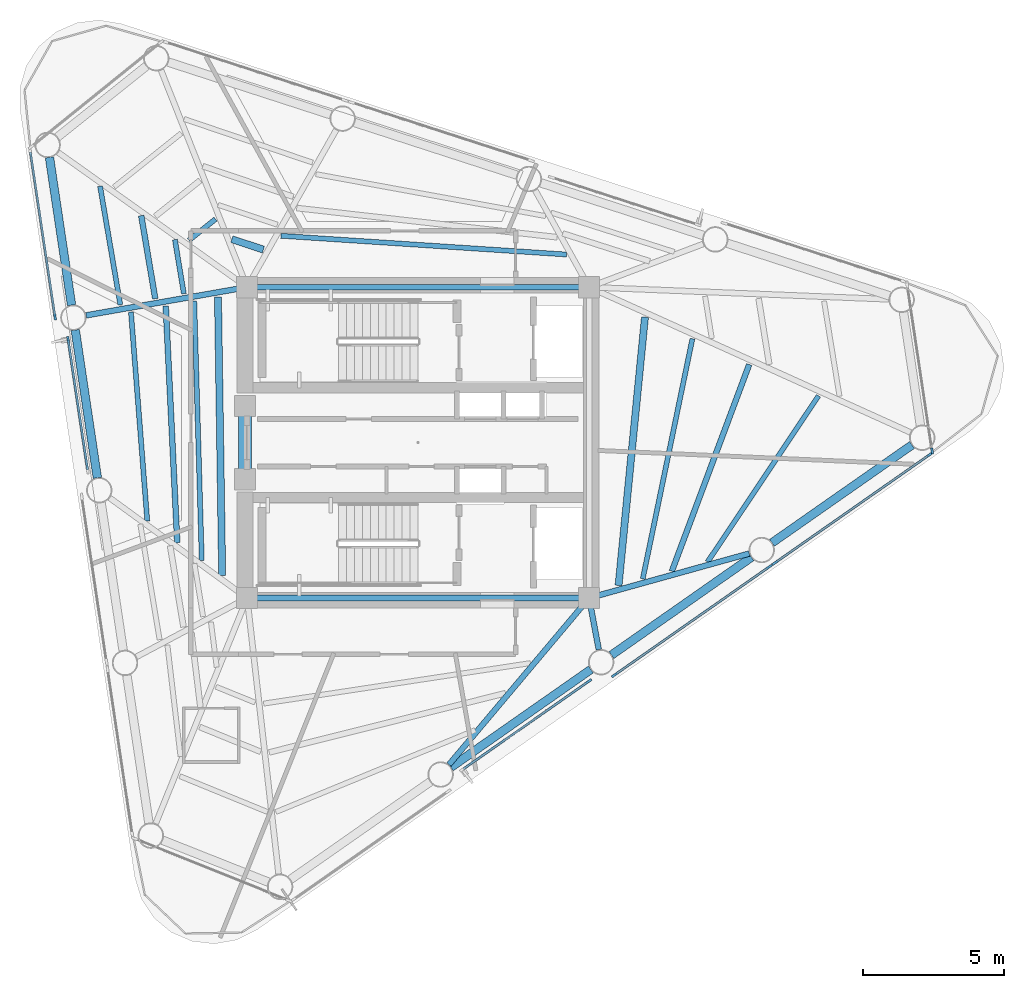
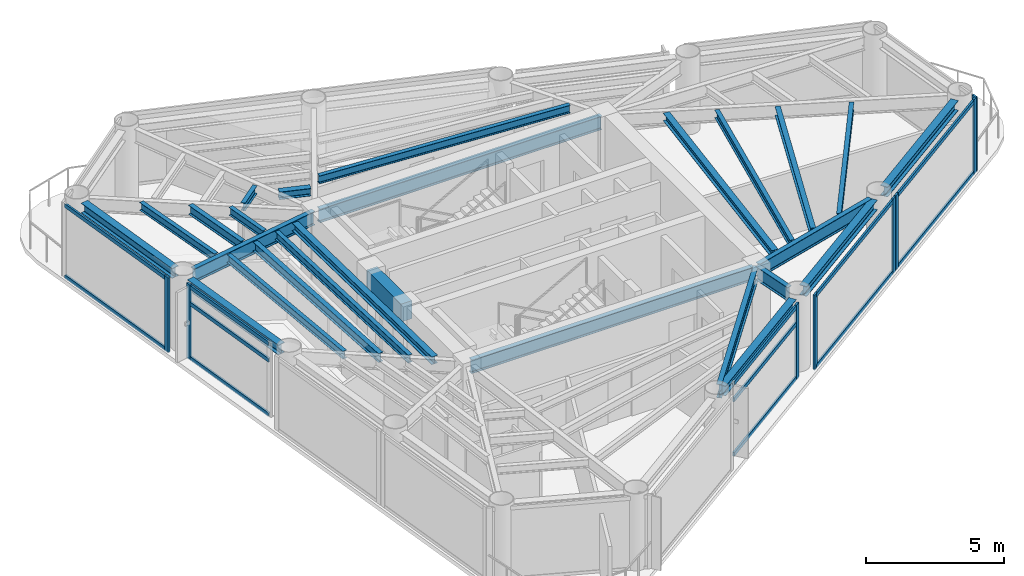
# One storey, part 2 of 9: 26 beams, 20 members, 6 elements without a shape of their own.
"""IFC4 building model written with IfcOpenShell, lengths in metres."""

from ifc_helpers import new_model, si_unit, direction, frame, origin, origin_2d, place, context, subcontext, project, spatial, rectangle, i_section, extrude, source, transform, mapped, material, layer, layer_set, material_profile, profile_set, type_object, element, aggregate, save


model = new_model("IFC4")

# Units and contexts
model_context = context("Model", 3, precision=1e-05, world=origin(), true_north=direction((0.0, 1.0)))
body_context = subcontext(model_context, "Body", "Model", "MODEL_VIEW")
ifc_project = project(units=[si_unit("LENGTHUNIT", "METRE"), si_unit("AREAUNIT", "SQUARE_METRE"), si_unit("VOLUMEUNIT", "CUBIC_METRE"), si_unit("PLANEANGLEUNIT", "RADIAN"), si_unit("MASSUNIT", "GRAM", prefix="KILO")], contexts=[model_context])

# Site, building, storey
site_placement = place(None, origin())
site = spatial("IfcSite", under=ifc_project, at=site_placement, CompositionType="ELEMENT")
building_placement = place(site_placement, origin())
building = spatial("IfcBuilding", under=site, at=building_placement, Name="Yunling Apex Tower", CompositionType="ELEMENT")
storey_placement = place(building_placement, frame((0.0, 0.0, 267.75)))
storey = spatial("IfcBuildingStorey", under=building, at=storey_placement, Name="L65", CompositionType="ELEMENT", Elevation=267.75)

# Beams
ifc_material_1 = material(Name="Concrete C40", Category="concrete")
ifc_material_profile_1 = material_profile(ifc_material_1, rectangle(XDim=0.449951171875, YDim=0.800048828125, at=origin_2d()))
ifc_profile_set_1 = profile_set([ifc_material_profile_1], Name="Concrete C40")
beam_type_1 = type_object("IfcBeamType", Name="BC-CPL-3", PredefinedType="BEAM", material=ifc_profile_set_1)
shared_shape_1 = source(origin(), body_context, "Body", "SweptSolid", [
    extrude(rectangle(XDim=0.449951171875, YDim=0.800048828125, at=origin_2d()), origin(), (0.0, 0.0, 1.0), 2.5),
])
beam_1_placement = place(storey_placement, frame((-6.125, -1.25, 2.820068359375), z_axis=(0.0, 1.0, 0.0), x_axis=(-1.0, 0.0, 0.0)))
element("IfcBeam", 1, at=beam_1_placement, inside=storey, type_object=beam_type_1, Name="L65 Core West Portal Coupling Beam", PredefinedType="BEAM", context=body_context, shape_type="MappedRepresentation", body=[
    mapped(shared_shape_1, transform((0.0, 0.0, 0.0), scale=1.0)),
])
ifc_material_2 = material(Name="Steel Q355B", Category="steel")
ifc_material_profile_2 = material_profile(ifc_material_2, i_section(OverallWidth=0.199951171875, OverallDepth=0.60009765625, WebThickness=0.010986328125, FlangeThickness=0.01708984375, FilletRadius=0.02197265625, at=origin_2d()))
ifc_profile_set_2 = profile_set([ifc_material_profile_2], Name="Steel Q355B")
beam_type_2 = type_object("IfcBeamType", Name="BG-PRI-5", PredefinedType="USERDEFINED", material=ifc_profile_set_2)
shared_shape_2 = source(origin(), body_context, "Body", "SweptSolid", [
    extrude(i_section(OverallWidth=0.199951171875, OverallDepth=0.60009765625, WebThickness=0.010986328125, FlangeThickness=0.01708984375, FilletRadius=0.02197265625, at=origin_2d()), origin(), (0.0, 0.0, 1.0), 11.7998046875),
])
for number, where, z_axis, x_axis, name in (
    (2, (-5.89990234375, -5.5, 2.919921875), (1.0, 0.0, 0.0), (0.0, 1.0, 0.0), "L65 Core Ring Tie Beam 1"),
    (3, (5.89990234375, 5.5, 2.919921875), (-1.0, 0.0, 0.0), (0.0, -1.0, 0.0), "L65 Core Ring Tie Beam 3"),
):
    element("IfcBeam", number, at=place(storey_placement, frame(where, z_axis=z_axis, x_axis=x_axis)), inside=storey, type_object=beam_type_2, Name=name, ObjectType="GIRDER", PredefinedType="USERDEFINED", context=body_context, shape_type="MappedRepresentation", body=[
        mapped(shared_shape_2, transform((0.0, 0.0, 0.0), scale=1.0)),
    ])
ifc_material_profile_3 = material_profile(ifc_material_2, i_section(OverallWidth=0.300048828125, OverallDepth=0.43994140625, WebThickness=0.010986328125, FlangeThickness=0.01806640625, FilletRadius=0.02197265625, at=origin_2d()))
ifc_profile_set_3 = profile_set([ifc_material_profile_3], Name="Steel Q355B")
beam_type_3 = type_object("IfcBeamType", Name="BP-SPN-3", PredefinedType="SPANDREL", material=ifc_profile_set_3)
shared_shape_3 = source(origin(), body_context, "Body", "SweptSolid", [
    extrude(i_section(OverallWidth=0.300048828125, OverallDepth=0.43994140625, WebThickness=0.010986328125, FlangeThickness=0.01806640625, FilletRadius=0.02197265625, at=origin_2d()), origin(), (0.0, 0.0, 1.0), 6.043701171875),
])
for number, where, z_axis, x_axis, name in (
    (4, (1.160888671875, -11.490478515625, 3.0), (0.819546828705, 0.5730122124, 0.0), (-0.5730122124, 0.819546828705, 0.0), "L65 Perimeter Spandrel Beam 2"),
    (5, (6.841796875, -7.5185546875, 3.0), (0.819546828705, 0.5730122124, 0.0), (-0.5730122124, 0.819546828705, 0.0), "L65 Perimeter Spandrel Beam 3"),
    (6, (12.522705078125, -3.546630859375, 3.0), (0.819546828705, 0.5730122124, 0.0), (-0.5730122124, 0.819546828705, 0.0), "L65 Perimeter Spandrel Beam 4"),
):
    element("IfcBeam", number, at=place(storey_placement, frame(where, z_axis=z_axis, x_axis=x_axis)), inside=storey, type_object=beam_type_3, Name=name, PredefinedType="SPANDREL", context=body_context, shape_type="MappedRepresentation", body=[
        mapped(shared_shape_3, transform((0.0, 0.0, 0.0), scale=1.0)),
    ])
shared_shape_4 = source(origin(), body_context, "Body", "SweptSolid", [
    extrude(i_section(OverallWidth=0.300048828125, OverallDepth=0.43994140625, WebThickness=0.010986328125, FlangeThickness=0.01806640625, FilletRadius=0.02197265625, at=origin_2d()), origin(), (0.0, 0.0, 1.0), 5.289306640625),
])
for number, where, z_axis, x_axis, name in (
    (7, (-13.044189453125, 10.09326171875, 3.0), (0.147841619944, -0.989011049186, 0.0), (0.989011049186, 0.147841619944, 0.0), "L65 Perimeter Spandrel Beam 11"),
    (8, (-12.131103515625, 3.98388671875, 3.0), (0.147796471114, -0.989017797174, 0.0), (0.989017797174, 0.147796471114, 0.0), "L65 Perimeter Spandrel Beam 12"),
):
    element("IfcBeam", number, at=place(storey_placement, frame(where, z_axis=z_axis, x_axis=x_axis)), inside=storey, type_object=beam_type_3, Name=name, PredefinedType="SPANDREL", context=body_context, shape_type="MappedRepresentation", body=[
        mapped(shared_shape_4, transform((0.0, 0.0, 0.0), scale=1.0)),
    ])
shared_shape_5 = source(origin(), body_context, "Body", "SweptSolid", [
    extrude(i_section(OverallWidth=0.199951171875, OverallDepth=0.60009765625, WebThickness=0.010986328125, FlangeThickness=0.01708984375, FilletRadius=0.02197265625, at=origin_2d()), origin(), (0.0, 0.0, 1.0), 7.622314453125),
])
beam_2_placement = place(storey_placement, frame((1.091796875, -11.394287109375, 2.919921875), z_axis=(0.64373126237, 0.765251633025, 0.0), x_axis=(-0.765251633025, 0.64373126237, 0.0)))
element("IfcBeam", 9, at=beam_2_placement, inside=storey, type_object=beam_type_2, Name="L65 Radial Primary Girder R02", ObjectType="GIRDER", PredefinedType="USERDEFINED", context=body_context, shape_type="MappedRepresentation", body=[
    mapped(shared_shape_5, transform((0.0, 0.0, 0.0), scale=1.0)),
])
shared_shape_6 = source(origin(), body_context, "Body", "SweptSolid", [
    extrude(i_section(OverallWidth=0.199951171875, OverallDepth=0.60009765625, WebThickness=0.010986328125, FlangeThickness=0.01708984375, FilletRadius=0.02197265625, at=origin_2d()), origin(), (0.0, 0.0, 1.0), 1.775146484375),
])
beam_3_placement = place(storey_placement, frame((6.393310546875, -7.322998046875, 2.919921875), z_axis=(-0.185127194989, 0.982714567754, 0.0), x_axis=(-0.982714567754, -0.185127194989, 0.0)))
element("IfcBeam", 10, at=beam_3_placement, inside=storey, type_object=beam_type_2, Name="L65 Radial Primary Girder R03", ObjectType="GIRDER", PredefinedType="USERDEFINED", context=body_context, shape_type="MappedRepresentation", body=[
    mapped(shared_shape_6, transform((0.0, 0.0, 0.0), scale=1.0)),
])
shared_shape_7 = source(origin(), body_context, "Body", "SweptSolid", [
    extrude(i_section(OverallWidth=0.199951171875, OverallDepth=0.60009765625, WebThickness=0.010986328125, FlangeThickness=0.01708984375, FilletRadius=0.02197265625, at=origin_2d()), origin(), (0.0, 0.0, 1.0), 5.802490234375),
])
beam_4_placement = place(storey_placement, frame((11.717529296875, -3.923828125, 2.919921875), z_axis=(-0.963437091081, -0.267934640405, 0.0), x_axis=(0.267934640405, -0.963437091081, 0.0)))
element("IfcBeam", 11, at=beam_4_placement, inside=storey, type_object=beam_type_2, Name="L65 Radial Primary Girder R04", ObjectType="GIRDER", PredefinedType="USERDEFINED", context=body_context, shape_type="MappedRepresentation", body=[
    mapped(shared_shape_7, transform((0.0, 0.0, 0.0), scale=1.0)),
])
shared_shape_8 = source(origin(), body_context, "Body", "SweptSolid", [
    extrude(i_section(OverallWidth=0.199951171875, OverallDepth=0.60009765625, WebThickness=0.010986328125, FlangeThickness=0.01708984375, FilletRadius=0.02197265625, at=origin_2d()), origin(), (0.0, 0.0, 1.0), 5.7021484375),
])
beam_5_placement = place(storey_placement, frame((-11.74560546875, 4.501953125, 2.919921875), z_axis=(0.984994459553, 0.172585963073, 0.0), x_axis=(-0.172585963073, 0.984994459553, 0.0)))
element("IfcBeam", 12, at=beam_5_placement, inside=storey, type_object=beam_type_2, Name="L65 Radial Primary Girder R12", ObjectType="GIRDER", PredefinedType="USERDEFINED", context=body_context, shape_type="MappedRepresentation", body=[
    mapped(shared_shape_8, transform((0.0, 0.0, 0.0), scale=1.0)),
])
ifc_material_profile_4 = material_profile(ifc_material_2, i_section(OverallWidth=0.199951171875, OverallDepth=0.39990234375, WebThickness=0.008056640625, FlangeThickness=0.012939453125, FilletRadius=0.01611328125, at=origin_2d()))
ifc_profile_set_4 = profile_set([ifc_material_profile_4], Name="Steel Q355B")
beam_type_4 = type_object("IfcBeamType", Name="BS-SEC-4", PredefinedType="BEAM", material=ifc_profile_set_4)
shared_shape_9 = source(origin(), body_context, "Body", "SweptSolid", [
    extrude(i_section(OverallWidth=0.199951171875, OverallDepth=0.39990234375, WebThickness=0.008056640625, FlangeThickness=0.012939453125, FilletRadius=0.01611328125, at=origin_2d()), origin(), (0.0, 0.0, 1.0), 7.810546875),
])
beam_6_placement = place(storey_placement, frame((8.978515625, -4.551513671875, 3.02001953125), z_axis=(0.350554744198, 0.936542242144, 0.0), x_axis=(-0.936542242144, 0.350554744198, 0.0)))
element("IfcBeam", 13, at=beam_6_placement, inside=storey, type_object=beam_type_4, Name="L65 Composite Floor Beam BS-4", PredefinedType="BEAM", context=body_context, shape_type="MappedRepresentation", body=[
    mapped(shared_shape_9, transform((0.0, 0.0, 0.0), scale=1.0)),
])
ifc_material_profile_5 = material_profile(ifc_material_2, i_section(OverallWidth=0.175048828125, OverallDepth=0.35009765625, WebThickness=0.007080078125, FlangeThickness=0.010986328125, FilletRadius=0.013916015625, at=origin_2d()))
ifc_profile_set_5 = profile_set([ifc_material_profile_5], Name="Steel Q355B")
beam_type_5 = type_object("IfcBeamType", Name="BJ-JST-1", PredefinedType="JOIST", material=ifc_profile_set_5)
shared_shape_10 = source(origin(), body_context, "Body", "SweptSolid", [
    extrude(i_section(OverallWidth=0.175048828125, OverallDepth=0.35009765625, WebThickness=0.007080078125, FlangeThickness=0.010986328125, FilletRadius=0.013916015625, at=origin_2d()), origin(), (0.0, 0.0, 1.0), 7.07373046875),
])
beam_7_placement = place(storey_placement, frame((10.240966796875, -4.22607421875, 3.044921875), z_axis=(0.555384960756, 0.831593377418, 0.0), x_axis=(-0.831593377418, 0.555384960756, 0.0)))
element("IfcBeam", 14, at=beam_7_placement, inside=storey, type_object=beam_type_5, Name="L65 Composite Floor Joist BJ1-4", PredefinedType="JOIST", context=body_context, shape_type="MappedRepresentation", body=[
    mapped(shared_shape_10, transform((0.0, 0.0, 0.0), scale=1.0)),
])
shared_shape_11 = source(origin(), body_context, "Body", "SweptSolid", [
    extrude(i_section(OverallWidth=0.175048828125, OverallDepth=0.35009765625, WebThickness=0.007080078125, FlangeThickness=0.010986328125, FilletRadius=0.013916015625, at=origin_2d()), origin(), (0.0, 0.0, 1.0), 8.68017578125),
])
beam_8_placement = place(storey_placement, frame((7.948486328125, -4.824462890625, 3.044921875), z_axis=(0.202510736311, 0.97928004252, 0.0), x_axis=(-0.97928004252, 0.202510736311, 0.0)))
element("IfcBeam", 15, at=beam_8_placement, inside=storey, type_object=beam_type_5, Name="L65 Composite Floor Joist BJ3-4", PredefinedType="JOIST", context=body_context, shape_type="MappedRepresentation", body=[
    mapped(shared_shape_11, transform((0.0, 0.0, 0.0), scale=1.0)),
])
ifc_material_profile_6 = material_profile(ifc_material_2, i_section(OverallWidth=0.25, OverallDepth=0.340087890625, WebThickness=0.009033203125, FlangeThickness=0.013916015625, FilletRadius=0.01806640625, at=origin_2d()))
ifc_profile_set_6 = profile_set([ifc_material_profile_6], Name="Steel Q355B")
beam_type_6 = type_object("IfcBeamType", Name="BJ-JST-2", PredefinedType="JOIST", material=ifc_profile_set_6)
shared_shape_12 = source(origin(), body_context, "Body", "SweptSolid", [
    extrude(i_section(OverallWidth=0.25, OverallDepth=0.340087890625, WebThickness=0.009033203125, FlangeThickness=0.013916015625, FilletRadius=0.01806640625, at=origin_2d()), origin(), (0.0, 0.0, 1.0), 9.54052734375),
])
beam_9_placement = place(storey_placement, frame((7.093017578125, -5.05517578125, 3.050048828125), z_axis=(0.098008759691, 0.995185552057, 0.0), x_axis=(-0.995185552057, 0.098008759691, 0.0)))
element("IfcBeam", 16, at=beam_9_placement, inside=storey, type_object=beam_type_6, Name="L65 Composite Floor Joist BJ2-4", PredefinedType="JOIST", context=body_context, shape_type="MappedRepresentation", body=[
    mapped(shared_shape_12, transform((0.0, 0.0, 0.0), scale=1.0)),
])
shared_shape_13 = source(origin(), body_context, "Body", "SweptSolid", [
    extrude(i_section(OverallWidth=0.175048828125, OverallDepth=0.35009765625, WebThickness=0.007080078125, FlangeThickness=0.010986328125, FilletRadius=0.013916015625, at=origin_2d()), origin(), (0.0, 0.0, 1.0), 10.130615234375),
])
beam_10_placement = place(storey_placement, frame((5.254150390625, 6.654541015625, 3.044921875), z_axis=(-0.997852458327, 0.065501690135, 0.0), x_axis=(-0.065501690135, -0.997852458327, 0.0)))
element("IfcBeam", 17, at=beam_10_placement, inside=storey, type_object=beam_type_5, Name="L65 Composite Floor Joist BJ3-8", PredefinedType="JOIST", context=body_context, shape_type="MappedRepresentation", body=[
    mapped(shared_shape_13, transform((0.0, 0.0, 0.0), scale=1.0)),
])
shared_shape_14 = source(origin(), body_context, "Body", "SweptSolid", [
    extrude(i_section(OverallWidth=0.25, OverallDepth=0.340087890625, WebThickness=0.009033203125, FlangeThickness=0.013916015625, FilletRadius=0.01806640625, at=origin_2d()), origin(), (0.0, 0.0, 1.0), 1.1728515625),
])
beam_11_placement = place(storey_placement, frame((-5.4775390625, 6.8291015625, 3.050048828125), z_axis=(-0.949595193506, 0.31347881662, 0.0), x_axis=(-0.31347881662, -0.949595193506, 0.0)))
element("IfcBeam", 18, at=beam_11_placement, inside=storey, type_object=beam_type_6, Name="L65 Composite Floor Joist BJ2-9", PredefinedType="JOIST", context=body_context, shape_type="MappedRepresentation", body=[
    mapped(shared_shape_14, transform((0.0, 0.0, 0.0), scale=1.0)),
])
shared_shape_15 = source(origin(), body_context, "Body", "SweptSolid", [
    extrude(i_section(OverallWidth=0.175048828125, OverallDepth=0.35009765625, WebThickness=0.007080078125, FlangeThickness=0.010986328125, FilletRadius=0.013916015625, at=origin_2d()), origin(), (0.0, 0.0, 1.0), 1.2021484375),
])
beam_12_placement = place(storey_placement, frame((-7.169921875, 7.9072265625, 3.044921875), z_axis=(-0.781225299788, -0.624249173785, 0.0), x_axis=(0.624249173785, -0.781225299788, 0.0)))
element("IfcBeam", 19, at=beam_12_placement, inside=storey, type_object=beam_type_5, Name="L65 Composite Floor Joist BJ3-10", PredefinedType="JOIST", context=body_context, shape_type="MappedRepresentation", body=[
    mapped(shared_shape_15, transform((0.0, 0.0, 0.0), scale=1.0)),
])
shared_shape_16 = source(origin(), body_context, "Body", "SweptSolid", [
    extrude(i_section(OverallWidth=0.199951171875, OverallDepth=0.39990234375, WebThickness=0.008056640625, FlangeThickness=0.012939453125, FilletRadius=0.01611328125, at=origin_2d()), origin(), (0.0, 0.0, 1.0), 2.980712890625),
])
beam_13_placement = place(storey_placement, frame((-9.796630859375, 8.031982421875, 3.02001953125), z_axis=(0.166351127682, -0.986066581078, 0.0), x_axis=(0.986066581078, 0.166351127682, 0.0)))
element("IfcBeam", 20, at=beam_13_placement, inside=storey, type_object=beam_type_4, Name="L65 Composite Floor Beam BS-11", PredefinedType="BEAM", context=body_context, shape_type="MappedRepresentation", body=[
    mapped(shared_shape_16, transform((0.0, 0.0, 0.0), scale=1.0)),
])
shared_shape_17 = source(origin(), body_context, "Body", "SweptSolid", [
    extrude(i_section(OverallWidth=0.175048828125, OverallDepth=0.35009765625, WebThickness=0.007080078125, FlangeThickness=0.010986328125, FilletRadius=0.013916015625, at=origin_2d()), origin(), (0.0, 0.0, 1.0), 4.2548828125),
])
beam_14_placement = place(storey_placement, frame((-11.253173828125, 9.0703125, 3.044921875), z_axis=(0.168352217176, -0.985726904864, 0.0), x_axis=(0.985726904864, 0.168352217176, 0.0)))
element("IfcBeam", 21, at=beam_14_placement, inside=storey, type_object=beam_type_5, Name="L65 Composite Floor Joist BJ1-11", PredefinedType="JOIST", context=body_context, shape_type="MappedRepresentation", body=[
    mapped(shared_shape_17, transform((0.0, 0.0, 0.0), scale=1.0)),
])
shared_shape_18 = source(origin(), body_context, "Body", "SweptSolid", [
    extrude(i_section(OverallWidth=0.175048828125, OverallDepth=0.35009765625, WebThickness=0.007080078125, FlangeThickness=0.010986328125, FilletRadius=0.013916015625, at=origin_2d()), origin(), (0.0, 0.0, 1.0), 1.93798828125),
])
beam_15_placement = place(storey_placement, frame((-8.605224609375, 7.18212890625, 3.044921875), z_axis=(0.163009711077, -0.986624464573, 0.0), x_axis=(0.986624464573, 0.163009711077, 0.0)))
element("IfcBeam", 22, at=beam_15_placement, inside=storey, type_object=beam_type_5, Name="L65 Composite Floor Joist BJ3-11", PredefinedType="JOIST", context=body_context, shape_type="MappedRepresentation", body=[
    mapped(shared_shape_18, transform((0.0, 0.0, 0.0), scale=1.0)),
])
shared_shape_19 = source(origin(), body_context, "Body", "SweptSolid", [
    extrude(i_section(OverallWidth=0.199951171875, OverallDepth=0.39990234375, WebThickness=0.008056640625, FlangeThickness=0.012939453125, FilletRadius=0.01611328125, at=origin_2d()), origin(), (0.0, 0.0, 1.0), 8.388916015625),
])
beam_16_placement = place(storey_placement, frame((-8.929443359375, 4.834228515625, 3.02001953125), z_axis=(0.048573134041, -0.998819628687, 0.0), x_axis=(0.998819628687, 0.048573134041, 0.0)))
element("IfcBeam", 23, at=beam_16_placement, inside=storey, type_object=beam_type_4, Name="L65 Composite Floor Beam BS-12", PredefinedType="BEAM", context=body_context, shape_type="MappedRepresentation", body=[
    mapped(shared_shape_19, transform((0.0, 0.0, 0.0), scale=1.0)),
])
shared_shape_20 = source(origin(), body_context, "Body", "SweptSolid", [
    extrude(i_section(OverallWidth=0.175048828125, OverallDepth=0.35009765625, WebThickness=0.007080078125, FlangeThickness=0.010986328125, FilletRadius=0.013916015625, at=origin_2d()), origin(), (0.0, 0.0, 1.0), 7.416259765625),
])
beam_17_placement = place(storey_placement, frame((-10.160400390625, 4.6181640625, 3.044921875), z_axis=(0.077952594819, -0.996957066759, 0.0), x_axis=(0.996957066759, 0.077952594819, 0.0)))
element("IfcBeam", 24, at=beam_17_placement, inside=storey, type_object=beam_type_5, Name="L65 Composite Floor Joist BJ1-12", PredefinedType="JOIST", context=body_context, shape_type="MappedRepresentation", body=[
    mapped(shared_shape_20, transform((0.0, 0.0, 0.0), scale=1.0)),
])
shared_shape_21 = source(origin(), body_context, "Body", "SweptSolid", [
    extrude(i_section(OverallWidth=0.175048828125, OverallDepth=0.35009765625, WebThickness=0.007080078125, FlangeThickness=0.010986328125, FilletRadius=0.013916015625, at=origin_2d()), origin(), (0.0, 0.0, 1.0), 9.189208984375),
])
beam_18_placement = place(storey_placement, frame((-7.92138671875, 5.01123046875, 3.044921875), z_axis=(0.028986034605, -0.999579816622, 0.0), x_axis=(0.999579816622, 0.028986034605, 0.0)))
element("IfcBeam", 25, at=beam_18_placement, inside=storey, type_object=beam_type_5, Name="L65 Composite Floor Joist BJ3-12", PredefinedType="JOIST", context=body_context, shape_type="MappedRepresentation", body=[
    mapped(shared_shape_21, transform((0.0, 0.0, 0.0), scale=1.0)),
])
shared_shape_22 = source(origin(), body_context, "Body", "SweptSolid", [
    extrude(i_section(OverallWidth=0.25, OverallDepth=0.340087890625, WebThickness=0.009033203125, FlangeThickness=0.013916015625, FilletRadius=0.01806640625, at=origin_2d()), origin(), (0.0, 0.0, 1.0), 9.858642578125),
])
beam_19_placement = place(storey_placement, frame((-7.081298828125, 5.158935546875, 3.050048828125), z_axis=(0.015056743551, -0.999886640812, 0.0), x_axis=(0.999886640812, 0.015056743551, 0.0)))
element("IfcBeam", 26, at=beam_19_placement, inside=storey, type_object=beam_type_6, Name="L65 Composite Floor Joist BJ2-12", PredefinedType="JOIST", context=body_context, shape_type="MappedRepresentation", body=[
    mapped(shared_shape_22, transform((0.0, 0.0, 0.0), scale=1.0)),
])

# Curtain wall, member
ifc_material_3 = material(Name="Bronze anodised aluminium", Category="aluminium")
ifc_layer = layer(ifc_material_3, 0.219970703125)
ifc_layer_set = layer_set([ifc_layer], Name="Bronze anodised aluminium")
curtain_wall_type = type_object("IfcCurtainWallType", Name="CW-SYS-4", PredefinedType="NOTDEFINED", material=ifc_layer_set)
curtain_wall_1_placement = place(storey_placement, origin())
curtain_wall_1 = element("IfcCurtainWall", 27, at=curtain_wall_1_placement, inside=storey, type_object=curtain_wall_type, Name="CW-L65-F1-B2", PredefinedType="NOTDEFINED")
ifc_material_profile_7 = material_profile(ifc_material_3, rectangle(XDim=0.080078125, YDim=0.219970703125, at=origin_2d()))
ifc_profile_set_7 = profile_set([ifc_material_profile_7], Name="Bronze anodised aluminium")
member_type_1 = type_object("IfcMemberType", Name="CW-MUL-4", PredefinedType="MULLION", material=ifc_profile_set_7)
shared_shape_23 = source(origin(), body_context, "Body", "SweptSolid", [
    extrude(rectangle(XDim=0.080078125, YDim=0.219970703125, at=origin_2d()), origin(), (0.0, 0.0, 1.0), 3.320068359375),
])
member_1_placement = place(storey_placement, frame((6.04345703125, -8.44287109375, -0.050048828125), z_axis=(0.0, 0.0, 1.0), x_axis=(-0.57299879219, 0.819556211708, 0.0)))
member_1 = element("IfcMember", 28, at=member_1_placement, type_object=member_type_1, Name="CW-SYS-4 mullion 2", PredefinedType="MULLION", context=body_context, shape_type="MappedRepresentation", body=[
    mapped(shared_shape_23, transform((0.0, 0.0, 0.0), scale=1.0)),
])

# Curtain wall, members
curtain_wall_2_placement = place(storey_placement, origin())
curtain_wall_2 = element("IfcCurtainWall", 29, at=curtain_wall_2_placement, inside=storey, type_object=curtain_wall_type, Name="CW-L65-F1-B3", PredefinedType="NOTDEFINED")
member_2_placement = place(storey_placement, frame((6.94287109375, -8.228759765625, -0.050048828125), z_axis=(0.0, 0.0, 1.0), x_axis=(-0.573010322379, 0.81954815017, 0.0)))
member_2 = element("IfcMember", 30, at=member_2_placement, type_object=member_type_1, Name="CW-SYS-4 mullion 1", PredefinedType="MULLION", context=body_context, shape_type="MappedRepresentation", body=[
    mapped(shared_shape_23, transform((0.0, 0.0, 0.0), scale=1.0)),
])
member_3_placement = place(storey_placement, frame((12.42724609375, -4.394287109375, -0.050048828125), z_axis=(0.0, 0.0, 1.0), x_axis=(-0.573010322379, 0.81954815017, 0.0)))
member_3 = element("IfcMember", 31, at=member_3_placement, type_object=member_type_1, Name="CW-SYS-4 mullion 2", PredefinedType="MULLION", context=body_context, shape_type="MappedRepresentation", body=[
    mapped(shared_shape_23, transform((0.0, 0.0, 0.0), scale=1.0)),
])

curtain_wall_3_placement = place(storey_placement, origin())
curtain_wall_3 = element("IfcCurtainWall", 32, at=curtain_wall_3_placement, inside=storey, type_object=curtain_wall_type, Name="CW-L65-F1-B4", PredefinedType="NOTDEFINED")
member_4_placement = place(storey_placement, frame((12.623779296875, -4.2568359375, -0.050048828125), z_axis=(0.0, 0.0, 1.0), x_axis=(-0.573000403744, 0.819555084976, 0.0)))
member_4 = element("IfcMember", 33, at=member_4_placement, type_object=member_type_1, Name="CW-SYS-4 mullion 1", PredefinedType="MULLION", context=body_context, shape_type="MappedRepresentation", body=[
    mapped(shared_shape_23, transform((0.0, 0.0, 0.0), scale=1.0)),
])
member_5_placement = place(storey_placement, frame((18.108154296875, -0.42236328125, -0.050048828125), z_axis=(0.0, 0.0, 1.0), x_axis=(-0.573000403744, 0.819555084976, 0.0)))
member_5 = element("IfcMember", 34, at=member_5_placement, type_object=member_type_1, Name="CW-SYS-4 mullion 2", PredefinedType="MULLION", context=body_context, shape_type="MappedRepresentation", body=[
    mapped(shared_shape_23, transform((0.0, 0.0, 0.0), scale=1.0)),
])

# Curtain wall, member
curtain_wall_4_placement = place(storey_placement, origin())
curtain_wall_4 = element("IfcCurtainWall", 35, at=curtain_wall_4_placement, inside=storey, type_object=curtain_wall_type, Name="CW-L65-CRN1", PredefinedType="NOTDEFINED")
member_6_placement = place(storey_placement, frame((18.189208984375, -0.2978515625, -0.050048828125), z_axis=(0.0, 0.0, 1.0), x_axis=(-0.989016885218, -0.147802573571, 0.0)))
member_6 = element("IfcMember", 36, at=member_6_placement, type_object=member_type_1, Name="CW-SYS-4 mullion 1", PredefinedType="MULLION", context=body_context, shape_type="MappedRepresentation", body=[
    mapped(shared_shape_23, transform((0.0, 0.0, 0.0), scale=1.0)),
])
aggregate(curtain_wall_4, [member_6])

curtain_wall_5_placement = place(storey_placement, origin())
curtain_wall_5 = element("IfcCurtainWall", 37, at=curtain_wall_5_placement, inside=storey, type_object=curtain_wall_type, Name="CW-L65-F3-B1", PredefinedType="NOTDEFINED")
member_7_placement = place(storey_placement, frame((-12.847412109375, 4.447265625, -0.050048828125), z_axis=(0.0, 0.0, 1.0), x_axis=(0.989016174309, 0.147807330522, 0.0)))
member_7 = element("IfcMember", 38, at=member_7_placement, type_object=member_type_1, Name="CW-SYS-4 mullion 2", PredefinedType="MULLION", context=body_context, shape_type="MappedRepresentation", body=[
    mapped(shared_shape_23, transform((0.0, 0.0, 0.0), scale=1.0)),
])

curtain_wall_6_placement = place(storey_placement, origin())
curtain_wall_6 = element("IfcCurtainWall", 39, at=curtain_wall_6_placement, inside=storey, type_object=curtain_wall_type, Name="CW-L65-F3-B2", PredefinedType="NOTDEFINED")
member_8_placement = place(storey_placement, frame((-12.384033203125, 3.646728515625, -0.050048828125), z_axis=(0.0, 0.0, 1.0), x_axis=(0.989016661745, 0.147804068926, 0.0)))
member_8 = element("IfcMember", 40, at=member_8_placement, type_object=member_type_1, Name="CW-SYS-4 mullion 1", PredefinedType="MULLION", context=body_context, shape_type="MappedRepresentation", body=[
    mapped(shared_shape_23, transform((0.0, 0.0, 0.0), scale=1.0)),
])

# Member
ifc_material_profile_8 = material_profile(ifc_material_3, rectangle(XDim=0.080078125, YDim=0.169921875, at=origin_2d()))
ifc_profile_set_8 = profile_set([ifc_material_profile_8], Name="Bronze anodised aluminium")
member_type_2 = type_object("IfcMemberType", Name="CW-TRN-4", PredefinedType="USERDEFINED", material=ifc_profile_set_8)
shared_shape_24 = source(origin(), body_context, "Body", "SweptSolid", [
    extrude(rectangle(XDim=0.080078125, YDim=0.169921875, at=origin_2d()), origin(), (0.0, 0.0, 1.0), 6.61962890625),
])
member_9_placement = place(storey_placement, frame((12.6533203125, -4.236083984375, 0.0400390625), z_axis=(0.819567916002, 0.572982051255, 0.0), x_axis=(-0.572982051255, 0.819567916002, 0.0)))
member_9 = element("IfcMember", 41, at=member_9_placement, type_object=member_type_2, Name="CW-SYS-4 transom 1.1", ObjectType="TRANSOM", PredefinedType="USERDEFINED", context=body_context, shape_type="MappedRepresentation", body=[
    mapped(shared_shape_24, transform((0.0, 0.0, 0.0), scale=1.0)),
])

member_10_placement = place(storey_placement, frame((12.6533203125, -4.236083984375, 3.179931640625), z_axis=(0.819567916002, 0.572982051255, 0.0), x_axis=(-0.572982051255, 0.819567916002, 0.0)))
member_10 = element("IfcMember", 42, at=member_10_placement, type_object=member_type_2, Name="CW-SYS-4 transom 1.2", ObjectType="TRANSOM", PredefinedType="USERDEFINED", context=body_context, shape_type="MappedRepresentation", body=[
    mapped(shared_shape_24, transform((0.0, 0.0, 0.0), scale=1.0)),
])

aggregate(curtain_wall_3, [member_4, member_5, member_9, member_10])

shared_shape_25 = source(origin(), body_context, "Body", "SweptSolid", [
    extrude(rectangle(XDim=0.080078125, YDim=0.169921875, at=origin_2d()), origin(), (0.0, 0.0, 1.0), 5.379638671875),
])
member_11_placement = place(storey_placement, frame((1.60498046875, -11.546142578125, 0.0400390625), z_axis=(0.819557991913, 0.572996245966, 0.0), x_axis=(-0.572996245966, 0.819557991913, 0.0)))
member_11 = element("IfcMember", 43, at=member_11_placement, type_object=member_type_2, Name="CW-SYS-4 transom 1.1", ObjectType="TRANSOM", PredefinedType="USERDEFINED", context=body_context, shape_type="MappedRepresentation", body=[
    mapped(shared_shape_25, transform((0.0, 0.0, 0.0), scale=1.0)),
])

member_12_placement = place(storey_placement, frame((1.60498046875, -11.546142578125, 2.447265625), z_axis=(0.819557991913, 0.572996245966, 0.0), x_axis=(-0.572996245966, 0.819557991913, 0.0)))
member_12 = element("IfcMember", 44, at=member_12_placement, type_object=member_type_2, Name="CW-SYS-4 transom 1.2", ObjectType="TRANSOM", PredefinedType="USERDEFINED", context=body_context, shape_type="MappedRepresentation", body=[
    mapped(shared_shape_25, transform((0.0, 0.0, 0.0), scale=1.0)),
])

member_13_placement = place(storey_placement, frame((1.60498046875, -11.546142578125, 3.179931640625), z_axis=(0.819557991913, 0.572996245966, 0.0), x_axis=(-0.572996245966, 0.819557991913, 0.0)))
member_13 = element("IfcMember", 45, at=member_13_placement, type_object=member_type_2, Name="CW-SYS-4 transom 1.3", ObjectType="TRANSOM", PredefinedType="USERDEFINED", context=body_context, shape_type="MappedRepresentation", body=[
    mapped(shared_shape_25, transform((0.0, 0.0, 0.0), scale=1.0)),
])

aggregate(curtain_wall_1, [member_1, member_11, member_12, member_13])

shared_shape_26 = source(origin(), body_context, "Body", "SweptSolid", [
    extrude(rectangle(XDim=0.080078125, YDim=0.169921875, at=origin_2d()), origin(), (0.0, 0.0, 1.0), 6.619873046875),
])
member_14_placement = place(storey_placement, frame((6.972412109375, -8.208251953125, 0.0400390625), z_axis=(0.819550596795, 0.573006823077, 0.0), x_axis=(-0.573006823077, 0.819550596795, 0.0)))
member_14 = element("IfcMember", 46, at=member_14_placement, type_object=member_type_2, Name="CW-SYS-4 transom 1.1", ObjectType="TRANSOM", PredefinedType="USERDEFINED", context=body_context, shape_type="MappedRepresentation", body=[
    mapped(shared_shape_26, transform((0.0, 0.0, 0.0), scale=1.0)),
])

member_15_placement = place(storey_placement, frame((6.972412109375, -8.208251953125, 3.179931640625), z_axis=(0.819550596795, 0.573006823077, 0.0), x_axis=(-0.573006823077, 0.819550596795, 0.0)))
member_15 = element("IfcMember", 47, at=member_15_placement, type_object=member_type_2, Name="CW-SYS-4 transom 1.2", ObjectType="TRANSOM", PredefinedType="USERDEFINED", context=body_context, shape_type="MappedRepresentation", body=[
    mapped(shared_shape_26, transform((0.0, 0.0, 0.0), scale=1.0)),
])

aggregate(curtain_wall_2, [member_2, member_3, member_14, member_15])

shared_shape_27 = source(origin(), body_context, "Body", "SweptSolid", [
    extrude(rectangle(XDim=0.080078125, YDim=0.169921875, at=origin_2d()), origin(), (0.0, 0.0, 1.0), 5.865478515625),
])
member_16_placement = place(storey_placement, frame((-13.7197265625, 10.28369140625, 0.0400390625), z_axis=(0.147805126247, -0.989016503732, 0.0), x_axis=(0.989016503732, 0.147805126247, 0.0)))
member_16 = element("IfcMember", 48, at=member_16_placement, type_object=member_type_2, Name="CW-SYS-4 transom 1.1", ObjectType="TRANSOM", PredefinedType="USERDEFINED", context=body_context, shape_type="MappedRepresentation", body=[
    mapped(shared_shape_27, transform((0.0, 0.0, 0.0), scale=1.0)),
])

member_17_placement = place(storey_placement, frame((-13.7197265625, 10.28369140625, 3.179931640625), z_axis=(0.147805126247, -0.989016503732, 0.0), x_axis=(0.989016503732, 0.147805126247, 0.0)))
member_17 = element("IfcMember", 49, at=member_17_placement, type_object=member_type_2, Name="CW-SYS-4 transom 1.2", ObjectType="TRANSOM", PredefinedType="USERDEFINED", context=body_context, shape_type="MappedRepresentation", body=[
    mapped(shared_shape_27, transform((0.0, 0.0, 0.0), scale=1.0)),
])

aggregate(curtain_wall_5, [member_7, member_16, member_17])

shared_shape_28 = source(origin(), body_context, "Body", "SweptSolid", [
    extrude(rectangle(XDim=0.080078125, YDim=0.169921875, at=origin_2d()), origin(), (0.0, 0.0, 1.0), 4.625244140625),
])
member_18_placement = place(storey_placement, frame((-12.378662109375, 3.611328125, 0.0400390625), z_axis=(0.147795810874, -0.989017895838, 0.0), x_axis=(0.989017895838, 0.147795810874, 0.0)))
member_18 = element("IfcMember", 50, at=member_18_placement, type_object=member_type_2, Name="CW-SYS-4 transom 1.1", ObjectType="TRANSOM", PredefinedType="USERDEFINED", context=body_context, shape_type="MappedRepresentation", body=[
    mapped(shared_shape_28, transform((0.0, 0.0, 0.0), scale=1.0)),
])

member_19_placement = place(storey_placement, frame((-12.378662109375, 3.611328125, 2.447265625), z_axis=(0.147795810874, -0.989017895838, 0.0), x_axis=(0.989017895838, 0.147795810874, 0.0)))
member_19 = element("IfcMember", 51, at=member_19_placement, type_object=member_type_2, Name="CW-SYS-4 transom 1.2", ObjectType="TRANSOM", PredefinedType="USERDEFINED", context=body_context, shape_type="MappedRepresentation", body=[
    mapped(shared_shape_28, transform((0.0, 0.0, 0.0), scale=1.0)),
])

member_20_placement = place(storey_placement, frame((-12.378662109375, 3.611328125, 3.179931640625), z_axis=(0.147795810874, -0.989017895838, 0.0), x_axis=(0.989017895838, 0.147795810874, 0.0)))
member_20 = element("IfcMember", 52, at=member_20_placement, type_object=member_type_2, Name="CW-SYS-4 transom 1.3", ObjectType="TRANSOM", PredefinedType="USERDEFINED", context=body_context, shape_type="MappedRepresentation", body=[
    mapped(shared_shape_28, transform((0.0, 0.0, 0.0), scale=1.0)),
])

aggregate(curtain_wall_6, [member_8, member_18, member_19, member_20])

save(model, "model.ifc")
